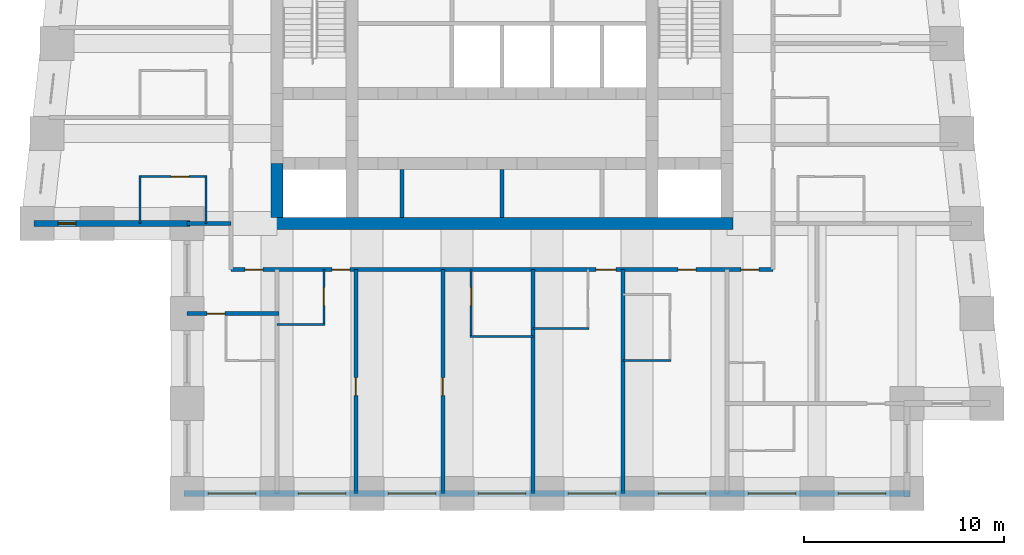
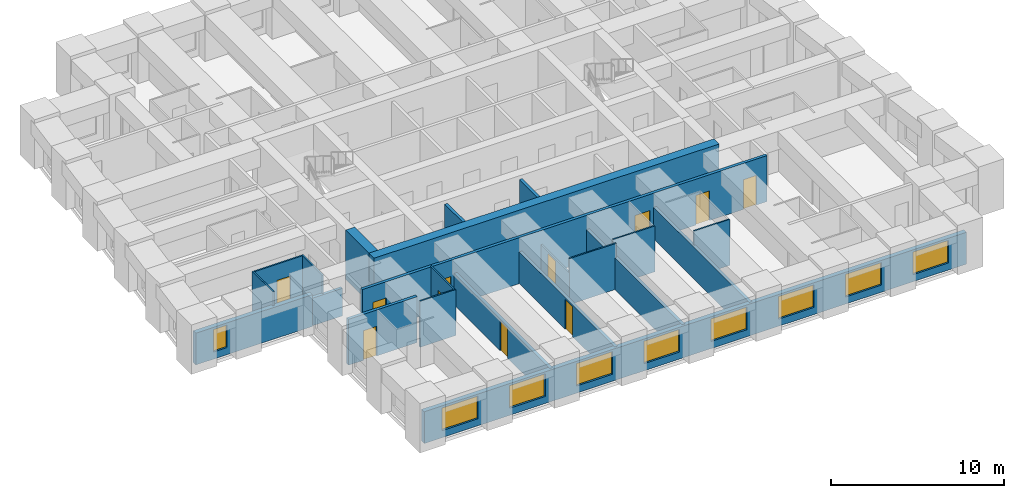
# One storey, part 2 of 8: 22 walls, 11 doors, 9 windows, 20 openings.
"""IFC4 building model written with IfcOpenShell, lengths in metres."""

from ifc_helpers import new_model, si_unit, direction, frame, frame_2d, origin, place, context, subcontext, project, spatial, rectangle, extrude, material, layer, layer_set, type_object, element, fill, save


model = new_model("IFC4")

# Units and contexts
model_context = context("Model", 3, precision=1e-05, world=origin(), true_north=direction((0.0, 1.0)))
body_context = subcontext(model_context, "Body", "Model", "MODEL_VIEW")
ifc_project = project(units=[si_unit("LENGTHUNIT", "METRE"), si_unit("AREAUNIT", "SQUARE_METRE"), si_unit("VOLUMEUNIT", "CUBIC_METRE"), si_unit("PLANEANGLEUNIT", "RADIAN"), si_unit("MASSUNIT", "GRAM", prefix="KILO")], contexts=[model_context])

# Site, building, storey
site_placement = place(None, origin())
site = spatial("IfcSite", under=ifc_project, at=site_placement, CompositionType="ELEMENT")
building_placement = place(site_placement, origin())
building = spatial("IfcBuilding", under=site, at=building_placement, Name="Kilele Tower Hotel", CompositionType="ELEMENT")
storey_placement = place(building_placement, frame((0.0, 0.0, 197.39990234375)))
storey = spatial("IfcBuildingStorey", under=building, at=storey_placement, Name="L51", CompositionType="ELEMENT", Elevation=197.39990234375)

# Wall
ifc_material_1 = material(Name="Moisture-resistant board")
ifc_layer_1 = layer(ifc_material_1, 0.10009765625)
ifc_layer_set_1 = layer_set([ifc_layer_1], Name="Moisture-resistant board")
wall_type_1 = type_object("IfcWallType", Name="Bathroom partition 100", PredefinedType="PLUMBINGWALL", material=ifc_layer_set_1)
wall_1_placement = place(storey_placement, frame((13.5, 8.449951171875, 0.0), z_axis=(0.0, 0.0, 1.0), x_axis=(1.0, 0.0, 0.0)))
element("IfcWall", 1, at=wall_1_placement, inside=storey, type_object=wall_type_1, Name="Bathroom partition 100 L51", PredefinedType="PLUMBINGWALL", context=body_context, shape_type="SweptSolid", body=[
    extrude(rectangle(XDim=2.39990234375, YDim=0.10009765625, at=frame_2d((1.199951171875, 0.0))), origin(), (0.0, 0.0, 1.0), 3.25),
])

# Wall, opening, door
wall_2_placement = place(storey_placement, frame((15.85009765625, 11.199951171875, 0.0), z_axis=(0.0, 0.0, 1.0), x_axis=(0.0, -1.0, 0.0)))
wall_2 = element("IfcWall", 2, at=wall_2_placement, inside=storey, type_object=wall_type_1, Name="Bathroom partition 100 L51", PredefinedType="PLUMBINGWALL", context=body_context, shape_type="SweptSolid", body=[
    extrude(rectangle(XDim=2.800048828125, YDim=0.10009765625, at=frame_2d((1.39990234375, 0.0))), origin(), (0.0, 0.0, 1.0), 3.25),
])
opening_1_placement = place(wall_2_placement, frame((0.89990234375, 0.0, 0.0)))
opening_1 = element("IfcOpeningElement", 3, at=opening_1_placement, cuts=wall_2, Name="Opening D2A", PredefinedType="OPENING", context=body_context, shape_type="SweptSolid", body=[
    extrude(rectangle(XDim=0.89990234375, YDim=2.10009765625, at=frame_2d((0.449951171875, 1.050048828125))), frame((0.0, 0.06005859375, 0.0), z_axis=(0.0, -1.0, 0.0), x_axis=(1.0, 0.0, 0.0)), (0.0, 0.0, 1.0), 0.1201171875),
])
ifc_material_2 = material(Name="Timber door leaf in hardwood frame", Category="wood")
door_type_1 = type_object("IfcDoorType", Name="Bathroom door 900", OperationType="SINGLE_SWING_LEFT", PredefinedType="DOOR", material=ifc_material_2)
door_1_placement = place(opening_1_placement, origin())
door_1 = element("IfcDoor", 4, at=door_1_placement, inside=storey, type_object=door_type_1, Name="Bathroom door 5101B", OperationType="SINGLE_SWING_LEFT", OverallHeight=2.10009765625, OverallWidth=0.89990234375, PredefinedType="DOOR", context=body_context, shape_type="SweptSolid", body=[
    extrude(rectangle(XDim=0.89990234375, YDim=2.10009765625, at=frame_2d((0.449951171875, 1.050048828125))), frame((0.0, 0.02490234375, 0.0), z_axis=(0.0, -1.0, 0.0), x_axis=(1.0, 0.0, 0.0)), (0.0, 0.0, 1.0), 0.050048828125),
])
fill(opening_1, door_1)

# Wall
wall_3_placement = place(storey_placement, frame((23.14990234375, 7.85009765625, 0.0), z_axis=(0.0, 0.0, 1.0), x_axis=(1.0, 0.0, 0.0)))
element("IfcWall", 5, at=wall_3_placement, inside=storey, type_object=wall_type_1, Name="Bathroom partition 100 L51", PredefinedType="PLUMBINGWALL", context=body_context, shape_type="SweptSolid", body=[
    extrude(rectangle(XDim=3.150146484375, YDim=0.10009765625, at=frame_2d((1.5751953125, 0.0))), origin(), (0.0, 0.0, 1.0), 3.25),
])

# Wall, opening, door
wall_4_placement = place(storey_placement, frame((23.199951171875, 11.199951171875, 0.0), z_axis=(0.0, 0.0, 1.0), x_axis=(0.0, -1.0, 0.0)))
wall_4 = element("IfcWall", 6, at=wall_4_placement, inside=storey, type_object=wall_type_1, Name="Bathroom partition 100 L51", PredefinedType="PLUMBINGWALL", context=body_context, shape_type="SweptSolid", body=[
    extrude(rectangle(XDim=3.39990234375, YDim=0.10009765625, at=frame_2d((1.699951171875, 0.0))), origin(), (0.0, 0.0, 1.0), 2.25),
])
opening_2_placement = place(wall_4_placement, frame((1.7998046875, 0.0, 0.0), z_axis=(0.0, 0.0, 1.0), x_axis=(-1.0, 0.0, 0.0)))
opening_2 = element("IfcOpeningElement", 7, at=opening_2_placement, cuts=wall_4, Name="Opening D2A", PredefinedType="OPENING", context=body_context, shape_type="SweptSolid", body=[
    extrude(rectangle(XDim=0.89990234375, YDim=2.10009765625, at=frame_2d((0.449951171875, 1.050048828125))), frame((0.0, 0.06005859375, 0.0), z_axis=(0.0, -1.0, 0.0), x_axis=(1.0, 0.0, 0.0)), (0.0, 0.0, 1.0), 0.1201171875),
])
door_2_placement = place(opening_2_placement, origin())
door_2 = element("IfcDoor", 8, at=door_2_placement, inside=storey, type_object=door_type_1, Name="Bathroom door 5103B", OperationType="SINGLE_SWING_RIGHT", OverallHeight=2.10009765625, OverallWidth=0.89990234375, PredefinedType="DOOR", context=body_context, shape_type="SweptSolid", body=[
    extrude(rectangle(XDim=0.89990234375, YDim=2.10009765625, at=frame_2d((0.449951171875, 1.050048828125))), frame((0.0, 0.02490234375, 0.0), z_axis=(0.0, -1.0, 0.0), x_axis=(1.0, 0.0, 0.0)), (0.0, 0.0, 1.0), 0.050048828125),
])
fill(opening_2, door_2)

# Walls
wall_5_placement = place(storey_placement, frame((26.300048828125, 8.25, 0.0), z_axis=(0.0, 0.0, 1.0), x_axis=(1.0, 0.0, 0.0)))
element("IfcWall", 9, at=wall_5_placement, inside=storey, type_object=wall_type_1, Name="Bathroom partition 100 L51", PredefinedType="PLUMBINGWALL", context=body_context, shape_type="SweptSolid", body=[
    extrude(rectangle(XDim=2.800048828125, YDim=0.10009765625, at=frame_2d((1.39990234375, 0.0))), origin(), (0.0, 0.0, 1.0), 3.25),
])
for number, where, z_axis, x_axis, name in (
    (10, (30.800048828125, 6.64990234375, 0.0), (0.0, 0.0, 1.0), (1.0, 0.0, 0.0), "Bathroom partition 100 L51"),
    (11, (9.949951171875, 13.5, 0.0), (0.0, 0.0, 1.0), (0.0, 1.0, 0.0), "Bathroom partition 100 L51"),
    (12, (6.64990234375, 13.5, 0.0), (0.0, 0.0, 1.0), (0.0, 1.0, 0.0), "Bathroom partition 100 L51"),
):
    element("IfcWall", number, at=place(storey_placement, frame(where, z_axis=z_axis, x_axis=x_axis)), inside=storey, type_object=wall_type_1, Name=name, PredefinedType="PLUMBINGWALL", context=body_context, shape_type="SweptSolid", body=[
        extrude(rectangle(XDim=2.39990234375, YDim=0.10009765625, at=frame_2d((1.199951171875, 0.0))), origin(), (0.0, 0.0, 1.0), 3.25),
    ])

# Wall, opening, door
wall_6_placement = place(storey_placement, frame((10.0, 15.85009765625, 0.0), z_axis=(0.0, 0.0, 1.0), x_axis=(-1.0, 0.0, 0.0)))
wall_6 = element("IfcWall", 13, at=wall_6_placement, inside=storey, type_object=wall_type_1, Name="Bathroom partition 100 L51", PredefinedType="PLUMBINGWALL", context=body_context, shape_type="SweptSolid", body=[
    extrude(rectangle(XDim=3.39990234375, YDim=0.10009765625, at=frame_2d((1.699951171875, 0.0))), origin(), (0.0, 0.0, 1.0), 3.25),
])
opening_3_placement = place(wall_6_placement, frame((1.7998046875, 0.0, 0.0), z_axis=(0.0, 0.0, 1.0), x_axis=(-1.0, 0.0, 0.0)))
opening_3 = element("IfcOpeningElement", 14, at=opening_3_placement, cuts=wall_6, Name="Opening D2A", PredefinedType="OPENING", context=body_context, shape_type="SweptSolid", body=[
    extrude(rectangle(XDim=0.89990234375, YDim=2.10009765625, at=frame_2d((0.449951171875, 1.050048828125))), frame((0.0, 0.06005859375, 0.0), z_axis=(0.0, -1.0, 0.0), x_axis=(1.0, 0.0, 0.0)), (0.0, 0.0, 1.0), 0.1201171875),
])
door_3_placement = place(opening_3_placement, origin())
door_3 = element("IfcDoor", 15, at=door_3_placement, inside=storey, type_object=door_type_1, Name="Bathroom door 5114B", OperationType="SINGLE_SWING_RIGHT", OverallHeight=2.10009765625, OverallWidth=0.89990234375, PredefinedType="DOOR", context=body_context, shape_type="SweptSolid", body=[
    extrude(rectangle(XDim=0.89990234375, YDim=2.10009765625, at=frame_2d((0.449951171875, 1.050048828125))), frame((0.0, 0.02490234375, 0.0), z_axis=(0.0, -1.0, 0.0), x_axis=(1.0, 0.0, 0.0)), (0.0, 0.0, 1.0), 0.050048828125),
])
fill(opening_3, door_3)

# Walls
ifc_material_3 = material(Name="Concrete C70/85", Category="concrete")
ifc_layer_2 = layer(ifc_material_3, 0.60009765625)
ifc_layer_set_2 = layer_set([ifc_layer_2], Name="Concrete C70/85")
wall_type_2 = type_object("IfcWallType", Name="Core wall 600 C70/85", PredefinedType="SHEAR", material=ifc_layer_set_2)
wall_7_placement = place(storey_placement, frame((13.199951171875, 13.5, 0.0), z_axis=(0.0, 0.0, 1.0), x_axis=(1.0, 0.0, 0.0)))
element("IfcWall", 16, at=wall_7_placement, inside=storey, type_object=wall_type_2, Name="Core wall S L51", PredefinedType="SHEAR", context=body_context, shape_type="SweptSolid", body=[
    extrude(rectangle(XDim=23.10009765625, YDim=0.60009765625, at=frame_2d((11.550048828125, 0.0))), origin(), (0.0, 0.0, 1.0), 3.5),
])
wall_8_placement = place(storey_placement, frame((13.5, 16.5, 0.0), z_axis=(0.0, 0.0, 1.0), x_axis=(0.0, -1.0, 0.0)))
element("IfcWall", 17, at=wall_8_placement, inside=storey, type_object=wall_type_2, Name="Core wall W3 L51", PredefinedType="SHEAR", context=body_context, shape_type="SweptSolid", body=[
    extrude(rectangle(XDim=2.699951171875, YDim=0.60009765625, at=frame_2d((1.35009765625, 0.0))), origin(), (0.0, 0.0, 1.0), 3.5),
])

# Wall, openings, doors
ifc_material_4 = material(Name="Blockwork, plastered both sides", Category="masonry")
ifc_layer_3 = layer(ifc_material_4, 0.199951171875)
ifc_layer_set_3 = layer_set([ifc_layer_3], Name="Blockwork, plastered both sides")
wall_type_3 = type_object("IfcWallType", Name="Corridor wall 200", PredefinedType="PARTITIONING", material=ifc_layer_set_3)
wall_9_placement = place(storey_placement, frame((11.199951171875, 11.199951171875, 0.0), z_axis=(0.0, 0.0, 1.0), x_axis=(1.0, 0.0, 0.0)))
wall_9 = element("IfcWall", 18, at=wall_9_placement, inside=storey, type_object=wall_type_3, Name="Corridor wall 200 L51", PredefinedType="PARTITIONING", context=body_context, shape_type="SweptSolid", body=[
    extrude(rectangle(XDim=27.10009765625, YDim=0.199951171875, at=frame_2d((13.550048828125, 0.0))), origin(), (0.0, 0.0, 1.0), 3.25),
])
opening_4_placement = place(wall_9_placement, frame((5.949951171875, 0.0, 0.0), z_axis=(0.0, 0.0, 1.0), x_axis=(-1.0, 0.0, 0.0)))
opening_4 = element("IfcOpeningElement", 19, at=opening_4_placement, cuts=wall_9, Name="Opening D1", PredefinedType="OPENING", context=body_context, shape_type="SweptSolid", body=[
    extrude(rectangle(XDim=0.89990234375, YDim=2.10009765625, at=frame_2d((0.449951171875, 1.050048828125))), frame((0.0, 0.10986328125, 0.0), z_axis=(0.0, -1.0, 0.0), x_axis=(1.0, 0.0, 0.0)), (0.0, 0.0, 1.0), 0.219970703125),
])
opening_5_placement = place(wall_9_placement, frame((19.25, 0.0, 0.0), z_axis=(0.0, 0.0, 1.0), x_axis=(-1.0, 0.0, 0.0)))
opening_5 = element("IfcOpeningElement", 20, at=opening_5_placement, cuts=wall_9, Name="Opening D1A", PredefinedType="OPENING", context=body_context, shape_type="SweptSolid", body=[
    extrude(rectangle(XDim=1.0, YDim=2.10009765625, at=frame_2d((0.5, 1.050048828125))), frame((0.0, 0.10986328125, 0.0), z_axis=(0.0, -1.0, 0.0), x_axis=(1.0, 0.0, 0.0)), (0.0, 0.0, 1.0), 0.219970703125),
])
opening_6_placement = place(wall_9_placement, frame((23.25, 0.0, 0.0), z_axis=(0.0, 0.0, 1.0), x_axis=(-1.0, 0.0, 0.0)))
opening_6 = element("IfcOpeningElement", 21, at=opening_6_placement, cuts=wall_9, Name="Opening D1", PredefinedType="OPENING", context=body_context, shape_type="SweptSolid", body=[
    extrude(rectangle(XDim=0.89990234375, YDim=2.10009765625, at=frame_2d((0.449951171875, 1.050048828125))), frame((0.0, 0.10986328125, 0.0), z_axis=(0.0, -1.0, 0.0), x_axis=(1.0, 0.0, 0.0)), (0.0, 0.0, 1.0), 0.219970703125),
])
opening_7_placement = place(wall_9_placement, frame((1.599853515625, 0.0, 0.0), z_axis=(0.0, 0.0, 1.0), x_axis=(-1.0, 0.0, 0.0)))
opening_7 = element("IfcOpeningElement", 22, at=opening_7_placement, cuts=wall_9, Name="Opening D1", PredefinedType="OPENING", context=body_context, shape_type="SweptSolid", body=[
    extrude(rectangle(XDim=0.89990234375, YDim=2.10009765625, at=frame_2d((0.449951171875, 1.050048828125))), frame((0.0, 0.10986328125, 0.0), z_axis=(0.0, -1.0, 0.0), x_axis=(1.0, 0.0, 0.0)), (0.0, 0.0, 1.0), 0.219970703125),
])
opening_8_placement = place(wall_9_placement, frame((26.39990234375, 0.0, 0.0), z_axis=(0.0, 0.0, 1.0), x_axis=(-1.0, 0.0, 0.0)))
opening_8 = element("IfcOpeningElement", 23, at=opening_8_placement, cuts=wall_9, Name="Opening D1", PredefinedType="OPENING", context=body_context, shape_type="SweptSolid", body=[
    extrude(rectangle(XDim=0.89990234375, YDim=2.10009765625, at=frame_2d((0.449951171875, 1.050048828125))), frame((0.0, 0.10986328125, 0.0), z_axis=(0.0, -1.0, 0.0), x_axis=(1.0, 0.0, 0.0)), (0.0, 0.0, 1.0), 0.219970703125),
])
ifc_material_5 = material(Name="Timber door leaf in hardwood frame", Category="wood")
door_type_2 = type_object("IfcDoorType", Name="Guest room entrance door 1000", OperationType="SINGLE_SWING_LEFT", PredefinedType="DOOR", material=ifc_material_5)
door_4_placement = place(opening_5_placement, origin())
door_4 = element("IfcDoor", 24, at=door_4_placement, inside=storey, type_object=door_type_2, Name="Room entrance 5104", OperationType="SINGLE_SWING_LEFT", OverallHeight=2.10009765625, OverallWidth=1.0, PredefinedType="DOOR", context=body_context, shape_type="SweptSolid", body=[
    extrude(rectangle(XDim=1.0, YDim=2.10009765625, at=frame_2d((0.5, 1.050048828125))), frame((0.0, 0.02490234375, 0.0), z_axis=(0.0, -1.0, 0.0), x_axis=(1.0, 0.0, 0.0)), (0.0, 0.0, 1.0), 0.050048828125),
])
fill(opening_5, door_4)
ifc_material_6 = material(Name="Timber door leaf in hardwood frame", Category="wood")
door_type_3 = type_object("IfcDoorType", Name="Guest room entrance door 900", OperationType="SINGLE_SWING_LEFT", PredefinedType="DOOR", material=ifc_material_6)
door_5_placement = place(opening_4_placement, origin())
door_5 = element("IfcDoor", 25, at=door_5_placement, inside=storey, type_object=door_type_3, Name="Room entrance 5101", OperationType="SINGLE_SWING_LEFT", OverallHeight=2.10009765625, OverallWidth=0.89990234375, PredefinedType="DOOR", context=body_context, shape_type="SweptSolid", body=[
    extrude(rectangle(XDim=0.89990234375, YDim=2.10009765625, at=frame_2d((0.449951171875, 1.050048828125))), frame((0.0, 0.02490234375, 0.0), z_axis=(0.0, -1.0, 0.0), x_axis=(1.0, 0.0, 0.0)), (0.0, 0.0, 1.0), 0.050048828125),
])
fill(opening_4, door_5)
door_6_placement = place(opening_6_placement, origin())
door_6 = element("IfcDoor", 26, at=door_6_placement, inside=storey, type_object=door_type_3, Name="Room entrance 5105", OperationType="SINGLE_SWING_LEFT", OverallHeight=2.10009765625, OverallWidth=0.89990234375, PredefinedType="DOOR", context=body_context, shape_type="SweptSolid", body=[
    extrude(rectangle(XDim=0.89990234375, YDim=2.10009765625, at=frame_2d((0.449951171875, 1.050048828125))), frame((0.0, 0.02490234375, 0.0), z_axis=(0.0, -1.0, 0.0), x_axis=(1.0, 0.0, 0.0)), (0.0, 0.0, 1.0), 0.050048828125),
])
fill(opening_6, door_6)
door_7_placement = place(opening_7_placement, origin())
door_7 = element("IfcDoor", 27, at=door_7_placement, inside=storey, type_object=door_type_3, Name="Room entrance 5117", OperationType="SINGLE_SWING_LEFT", OverallHeight=2.10009765625, OverallWidth=0.89990234375, PredefinedType="DOOR", context=body_context, shape_type="SweptSolid", body=[
    extrude(rectangle(XDim=0.89990234375, YDim=2.10009765625, at=frame_2d((0.449951171875, 1.050048828125))), frame((0.0, 0.02490234375, 0.0), z_axis=(0.0, -1.0, 0.0), x_axis=(1.0, 0.0, 0.0)), (0.0, 0.0, 1.0), 0.050048828125),
])
fill(opening_7, door_7)
door_8_placement = place(opening_8_placement, origin())
door_8 = element("IfcDoor", 28, at=door_8_placement, inside=storey, type_object=door_type_3, Name="Room entrance 5119", OperationType="SINGLE_SWING_RIGHT", OverallHeight=2.10009765625, OverallWidth=0.89990234375, PredefinedType="DOOR", context=body_context, shape_type="SweptSolid", body=[
    extrude(rectangle(XDim=0.89990234375, YDim=2.10009765625, at=frame_2d((0.449951171875, 1.050048828125))), frame((0.0, 0.02490234375, 0.0), z_axis=(0.0, -1.0, 0.0), x_axis=(1.0, 0.0, 0.0)), (0.0, 0.0, 1.0), 0.050048828125),
])
fill(opening_8, door_8)

# Wall, opening, door
ifc_material_7 = material(Name="Blockwork, plastered both sides", Category="masonry")
ifc_layer_4 = layer(ifc_material_7, 0.199951171875)
ifc_layer_set_4 = layer_set([ifc_layer_4], Name="Blockwork, plastered both sides")
wall_type_4 = type_object("IfcWallType", Name="Party wall 200", PredefinedType="PARTITIONING", material=ifc_layer_set_4)
wall_10_placement = place(storey_placement, frame((17.449951171875, 11.199951171875, 0.0), z_axis=(0.0, 0.0, 1.0), x_axis=(0.0, -1.0, 0.0)))
wall_10 = element("IfcWall", 29, at=wall_10_placement, inside=storey, type_object=wall_type_4, Name="Party wall 200 L51", PredefinedType="PARTITIONING", context=body_context, shape_type="SweptSolid", body=[
    extrude(rectangle(XDim=11.199951171875, YDim=0.199951171875, at=frame_2d((5.60009765625, 0.0))), origin(), (0.0, 0.0, 1.0), 2.25),
])
opening_9_placement = place(wall_10_placement, frame((5.39990234375, 0.0, 0.0)))
opening_9 = element("IfcOpeningElement", 30, at=opening_9_placement, cuts=wall_10, Name="Opening D3", PredefinedType="OPENING", context=body_context, shape_type="SweptSolid", body=[
    extrude(rectangle(XDim=0.89990234375, YDim=2.10009765625, at=frame_2d((0.449951171875, 1.050048828125))), frame((0.0, 0.10986328125, 0.0), z_axis=(0.0, -1.0, 0.0), x_axis=(1.0, 0.0, 0.0)), (0.0, 0.0, 1.0), 0.219970703125),
])
ifc_material_8 = material(Name="Timber door leaf in hardwood frame", Category="wood")
door_type_4 = type_object("IfcDoorType", Name="Suite internal door 900", OperationType="SINGLE_SWING_LEFT", PredefinedType="DOOR", material=ifc_material_8)
door_9_placement = place(opening_9_placement, origin())
door_9 = element("IfcDoor", 31, at=door_9_placement, inside=storey, type_object=door_type_4, Name="Suite door 5102", OperationType="SINGLE_SWING_RIGHT", OverallHeight=2.10009765625, OverallWidth=0.89990234375, PredefinedType="DOOR", context=body_context, shape_type="SweptSolid", body=[
    extrude(rectangle(XDim=0.89990234375, YDim=2.10009765625, at=frame_2d((0.449951171875, 1.050048828125))), frame((0.0, 0.02490234375, 0.0), z_axis=(0.0, -1.0, 0.0), x_axis=(1.0, 0.0, 0.0)), (0.0, 0.0, 1.0), 0.050048828125),
])
fill(opening_9, door_9)

wall_11_placement = place(storey_placement, frame((21.800048828125, 11.199951171875, 0.0), z_axis=(0.0, 0.0, 1.0), x_axis=(0.0, -1.0, 0.0)))
wall_11 = element("IfcWall", 32, at=wall_11_placement, inside=storey, type_object=wall_type_4, Name="Party wall 200 L51", PredefinedType="PARTITIONING", context=body_context, shape_type="SweptSolid", body=[
    extrude(rectangle(XDim=11.199951171875, YDim=0.199951171875, at=frame_2d((5.60009765625, 0.0))), origin(), (0.0, 0.0, 1.0), 2.25),
])
opening_10_placement = place(wall_11_placement, frame((5.39990234375, 0.0, 0.0)))
opening_10 = element("IfcOpeningElement", 33, at=opening_10_placement, cuts=wall_11, Name="Opening D3", PredefinedType="OPENING", context=body_context, shape_type="SweptSolid", body=[
    extrude(rectangle(XDim=0.89990234375, YDim=2.10009765625, at=frame_2d((0.449951171875, 1.050048828125))), frame((0.0, 0.10986328125, 0.0), z_axis=(0.0, -1.0, 0.0), x_axis=(1.0, 0.0, 0.0)), (0.0, 0.0, 1.0), 0.219970703125),
])
door_10_placement = place(opening_10_placement, origin())
door_10 = element("IfcDoor", 34, at=door_10_placement, inside=storey, type_object=door_type_4, Name="Suite door 5103", OperationType="SINGLE_SWING_RIGHT", OverallHeight=2.10009765625, OverallWidth=0.89990234375, PredefinedType="DOOR", context=body_context, shape_type="SweptSolid", body=[
    extrude(rectangle(XDim=0.89990234375, YDim=2.10009765625, at=frame_2d((0.449951171875, 1.050048828125))), frame((0.0, 0.02490234375, 0.0), z_axis=(0.0, -1.0, 0.0), x_axis=(1.0, 0.0, 0.0)), (0.0, 0.0, 1.0), 0.050048828125),
])
fill(opening_10, door_10)

# Walls
for number, where, z_axis, x_axis, name in (
    (35, (26.300048828125, 11.199951171875, 0.0), (0.0, 0.0, 1.0), (0.0, -1.0, 0.0), "Party wall 200 L51"),
    (36, (30.800048828125, 11.199951171875, 0.0), (0.0, 0.0, 1.0), (0.0, -1.0, 0.0), "Party wall 200 L51"),
):
    element("IfcWall", number, at=place(storey_placement, frame(where, z_axis=z_axis, x_axis=x_axis)), inside=storey, type_object=wall_type_4, Name=name, PredefinedType="PARTITIONING", context=body_context, shape_type="SweptSolid", body=[
        extrude(rectangle(XDim=11.199951171875, YDim=0.199951171875, at=frame_2d((5.60009765625, 0.0))), origin(), (0.0, 0.0, 1.0), 2.25),
    ])
wall_12_placement = place(storey_placement, frame((11.199951171875, 13.5, 0.0), z_axis=(0.0, 0.0, 1.0), x_axis=(-1.0, 0.0, 0.0)))
element("IfcWall", 37, at=wall_12_placement, inside=storey, type_object=wall_type_4, Name="Party wall 200 L51", PredefinedType="PARTITIONING", context=body_context, shape_type="SweptSolid", body=[
    extrude(rectangle(XDim=2.199951171875, YDim=0.199951171875, at=frame_2d((1.10009765625, 0.0))), origin(), (0.0, 0.0, 1.0), 1.9501953125),
])

# Wall, opening, door
wall_13_placement = place(storey_placement, frame((13.60009765625, 9.0, 0.0), z_axis=(0.0, 0.0, 1.0), x_axis=(-1.0, 0.0, 0.0)))
wall_13 = element("IfcWall", 38, at=wall_13_placement, inside=storey, type_object=wall_type_4, Name="Party wall 200 L51", PredefinedType="PARTITIONING", context=body_context, shape_type="SweptSolid", body=[
    extrude(rectangle(XDim=4.60009765625, YDim=0.199951171875, at=frame_2d((2.300048828125, 0.0))), origin(), (0.0, 0.0, 1.0), 3.25),
])
opening_11_placement = place(wall_13_placement, frame((2.699951171875, 0.0, 0.0)))
opening_11 = element("IfcOpeningElement", 39, at=opening_11_placement, cuts=wall_13, Name="Opening D3", PredefinedType="OPENING", context=body_context, shape_type="SweptSolid", body=[
    extrude(rectangle(XDim=0.89990234375, YDim=2.10009765625, at=frame_2d((0.449951171875, 1.050048828125))), frame((0.0, 0.10986328125, 0.0), z_axis=(0.0, -1.0, 0.0), x_axis=(1.0, 0.0, 0.0)), (0.0, 0.0, 1.0), 0.219970703125),
])
door_11_placement = place(opening_11_placement, origin())
door_11 = element("IfcDoor", 40, at=door_11_placement, inside=storey, type_object=door_type_4, Name="Suite door 5118", OperationType="SINGLE_SWING_LEFT", OverallHeight=2.10009765625, OverallWidth=0.89990234375, PredefinedType="DOOR", context=body_context, shape_type="SweptSolid", body=[
    extrude(rectangle(XDim=0.89990234375, YDim=2.10009765625, at=frame_2d((0.449951171875, 1.050048828125))), frame((0.0, 0.02490234375, 0.0), z_axis=(0.0, -1.0, 0.0), x_axis=(1.0, 0.0, 0.0)), (0.0, 0.0, 1.0), 0.050048828125),
])
fill(opening_11, door_11)

# Wall, opening, window
ifc_material_9 = material(Name="Concrete C40/50 precast", Category="concrete")
ifc_layer_5 = layer(ifc_material_9, 0.260009765625, Name="Precast backing", Category="LoadBearing")
ifc_material_10 = material(Name="Reconstituted stone finish", Category="masonry")
ifc_layer_6 = layer(ifc_material_10, 0.0400390625, Name="Face mix", Category="Finish")
ifc_layer_set_5 = layer_set([ifc_layer_5, ifc_layer_6], Name="Precast concrete C40/50, reconstituted stone finish")
wall_type_5 = type_object("IfcWallType", Name="Precast stone facade wall 300", PredefinedType="STANDARD", material=ifc_layer_set_5)
wall_14_placement = place(storey_placement, frame((1.35009765625, 13.5, 0.0), z_axis=(0.0, 0.0, 1.0), x_axis=(1.0, 0.0, 0.0)))
wall_14 = element("IfcWall", 41, at=wall_14_placement, inside=storey, type_object=wall_type_5, Name="Facade wall L51 edge 1", PredefinedType="STANDARD", context=body_context, shape_type="SweptSolid", body=[
    extrude(rectangle(XDim=7.7998046875, YDim=0.300048828125, at=frame_2d((3.89990234375, 0.0))), origin(), (0.0, 0.0, 1.0), 2.25),
])
opening_12_placement = place(wall_14_placement, frame((1.199951171875, 0.0, 0.5)))
opening_12 = element("IfcOpeningElement", 42, at=opening_12_placement, cuts=wall_14, Name="Opening W3", PredefinedType="OPENING", context=body_context, shape_type="SweptSolid", body=[
    extrude(rectangle(XDim=0.89990234375, YDim=1.60009765625, at=frame_2d((0.449951171875, 0.800048828125))), frame((0.0, 0.159912109375, 0.0), z_axis=(0.0, -1.0, 0.0), x_axis=(1.0, 0.0, 0.0)), (0.0, 0.0, 1.0), 0.320068359375),
])
ifc_material_11 = material(Name="Aluminium frame, clear double glazing", Category="aluminium")
window_type_1 = type_object("IfcWindowType", Name="Window W3 900 x 1600", PartitioningType="SINGLE_PANEL", PredefinedType="WINDOW", material=ifc_material_11)
window_1_placement = place(opening_12_placement, origin())
window_1 = element("IfcWindow", 43, at=window_1_placement, inside=storey, type_object=window_type_1, Name="Window L51", OverallHeight=1.60009765625, OverallWidth=0.89990234375, PartitioningType="SINGLE_PANEL", PredefinedType="WINDOW", context=body_context, shape_type="SweptSolid", body=[
    extrude(rectangle(XDim=0.89990234375, YDim=1.60009765625, at=frame_2d((0.449951171875, 0.800048828125))), frame((0.0, 0.030029296875, 0.0), z_axis=(0.0, -1.0, 0.0), x_axis=(1.0, 0.0, 0.0)), (0.0, 0.0, 1.0), 0.06005859375),
])
fill(opening_12, window_1)

# Wall, openings, windows
wall_15_placement = place(storey_placement, frame((8.85009765625, 0.0, 0.0), z_axis=(0.0, 0.0, 1.0), x_axis=(1.0, 0.0, 0.0)))
wall_15 = element("IfcWall", 44, at=wall_15_placement, inside=storey, type_object=wall_type_5, Name="Facade wall L51 edge 3", PredefinedType="STANDARD", context=body_context, shape_type="SweptSolid", body=[
    extrude(rectangle(XDim=36.2998046875, YDim=0.300048828125, at=frame_2d((18.14990234375, 0.0))), origin(), (0.0, 0.0, 1.0), 2.25),
])
opening_13_placement = place(wall_15_placement, frame((1.199951171875, 0.0, 0.5)))
opening_13 = element("IfcOpeningElement", 45, at=opening_13_placement, cuts=wall_15, Name="Opening W3", PredefinedType="OPENING", context=body_context, shape_type="SweptSolid", body=[
    extrude(rectangle(XDim=2.39990234375, YDim=1.60009765625, at=frame_2d((1.199951171875, 0.800048828125))), frame((0.0, 0.159912109375, 0.0), z_axis=(0.0, -1.0, 0.0), x_axis=(1.0, 0.0, 0.0)), (0.0, 0.0, 1.0), 0.320068359375),
])
opening_14_placement = place(wall_15_placement, frame((5.699951171875, 0.0, 0.5)))
opening_14 = element("IfcOpeningElement", 46, at=opening_14_placement, cuts=wall_15, Name="Opening W3", PredefinedType="OPENING", context=body_context, shape_type="SweptSolid", body=[
    extrude(rectangle(XDim=2.39990234375, YDim=1.60009765625, at=frame_2d((1.199951171875, 0.800048828125))), frame((0.0, 0.159912109375, 0.0), z_axis=(0.0, -1.0, 0.0), x_axis=(1.0, 0.0, 0.0)), (0.0, 0.0, 1.0), 0.320068359375),
])
opening_15_placement = place(wall_15_placement, frame((10.199951171875, 0.0, 0.5)))
opening_15 = element("IfcOpeningElement", 47, at=opening_15_placement, cuts=wall_15, Name="Opening W3", PredefinedType="OPENING", context=body_context, shape_type="SweptSolid", body=[
    extrude(rectangle(XDim=2.39990234375, YDim=1.60009765625, at=frame_2d((1.199951171875, 0.800048828125))), frame((0.0, 0.159912109375, 0.0), z_axis=(0.0, -1.0, 0.0), x_axis=(1.0, 0.0, 0.0)), (0.0, 0.0, 1.0), 0.320068359375),
])
opening_16_placement = place(wall_15_placement, frame((14.699951171875, 0.0, 0.5)))
opening_16 = element("IfcOpeningElement", 48, at=opening_16_placement, cuts=wall_15, Name="Opening W3", PredefinedType="OPENING", context=body_context, shape_type="SweptSolid", body=[
    extrude(rectangle(XDim=2.39990234375, YDim=1.60009765625, at=frame_2d((1.199951171875, 0.800048828125))), frame((0.0, 0.159912109375, 0.0), z_axis=(0.0, -1.0, 0.0), x_axis=(1.0, 0.0, 0.0)), (0.0, 0.0, 1.0), 0.320068359375),
])
opening_17_placement = place(wall_15_placement, frame((19.199951171875, 0.0, 0.5)))
opening_17 = element("IfcOpeningElement", 49, at=opening_17_placement, cuts=wall_15, Name="Opening W3", PredefinedType="OPENING", context=body_context, shape_type="SweptSolid", body=[
    extrude(rectangle(XDim=2.39990234375, YDim=1.60009765625, at=frame_2d((1.199951171875, 0.800048828125))), frame((0.0, 0.159912109375, 0.0), z_axis=(0.0, -1.0, 0.0), x_axis=(1.0, 0.0, 0.0)), (0.0, 0.0, 1.0), 0.320068359375),
])
opening_18_placement = place(wall_15_placement, frame((23.699951171875, 0.0, 0.5)))
opening_18 = element("IfcOpeningElement", 50, at=opening_18_placement, cuts=wall_15, Name="Opening W3", PredefinedType="OPENING", context=body_context, shape_type="SweptSolid", body=[
    extrude(rectangle(XDim=2.39990234375, YDim=1.60009765625, at=frame_2d((1.199951171875, 0.800048828125))), frame((0.0, 0.159912109375, 0.0), z_axis=(0.0, -1.0, 0.0), x_axis=(1.0, 0.0, 0.0)), (0.0, 0.0, 1.0), 0.320068359375),
])
opening_19_placement = place(wall_15_placement, frame((28.199951171875, 0.0, 0.5)))
opening_19 = element("IfcOpeningElement", 51, at=opening_19_placement, cuts=wall_15, Name="Opening W3", PredefinedType="OPENING", context=body_context, shape_type="SweptSolid", body=[
    extrude(rectangle(XDim=2.39990234375, YDim=1.60009765625, at=frame_2d((1.199951171875, 0.800048828125))), frame((0.0, 0.159912109375, 0.0), z_axis=(0.0, -1.0, 0.0), x_axis=(1.0, 0.0, 0.0)), (0.0, 0.0, 1.0), 0.320068359375),
])
opening_20_placement = place(wall_15_placement, frame((32.699951171875, 0.0, 0.5)))
opening_20 = element("IfcOpeningElement", 52, at=opening_20_placement, cuts=wall_15, Name="Opening W3", PredefinedType="OPENING", context=body_context, shape_type="SweptSolid", body=[
    extrude(rectangle(XDim=2.39990234375, YDim=1.60009765625, at=frame_2d((1.199951171875, 0.800048828125))), frame((0.0, 0.159912109375, 0.0), z_axis=(0.0, -1.0, 0.0), x_axis=(1.0, 0.0, 0.0)), (0.0, 0.0, 1.0), 0.320068359375),
])
ifc_material_12 = material(Name="Aluminium frame, clear double glazing", Category="aluminium")
window_type_2 = type_object("IfcWindowType", Name="Window W3 2400 x 1600", PartitioningType="SINGLE_PANEL", PredefinedType="WINDOW", material=ifc_material_12)
window_2_placement = place(opening_13_placement, origin())
window_2 = element("IfcWindow", 53, at=window_2_placement, inside=storey, type_object=window_type_2, Name="Window L51", OverallHeight=1.60009765625, OverallWidth=2.39990234375, PartitioningType="SINGLE_PANEL", PredefinedType="WINDOW", context=body_context, shape_type="SweptSolid", body=[
    extrude(rectangle(XDim=2.39990234375, YDim=1.60009765625, at=frame_2d((1.199951171875, 0.800048828125))), frame((0.0, 0.030029296875, 0.0), z_axis=(0.0, -1.0, 0.0), x_axis=(1.0, 0.0, 0.0)), (0.0, 0.0, 1.0), 0.06005859375),
])
fill(opening_13, window_2)
window_3_placement = place(opening_14_placement, origin())
window_3 = element("IfcWindow", 54, at=window_3_placement, inside=storey, type_object=window_type_2, Name="Window L51", OverallHeight=1.60009765625, OverallWidth=2.39990234375, PartitioningType="SINGLE_PANEL", PredefinedType="WINDOW", context=body_context, shape_type="SweptSolid", body=[
    extrude(rectangle(XDim=2.39990234375, YDim=1.60009765625, at=frame_2d((1.199951171875, 0.800048828125))), frame((0.0, 0.030029296875, 0.0), z_axis=(0.0, -1.0, 0.0), x_axis=(1.0, 0.0, 0.0)), (0.0, 0.0, 1.0), 0.06005859375),
])
fill(opening_14, window_3)
window_4_placement = place(opening_15_placement, origin())
window_4 = element("IfcWindow", 55, at=window_4_placement, inside=storey, type_object=window_type_2, Name="Window L51", OverallHeight=1.60009765625, OverallWidth=2.39990234375, PartitioningType="SINGLE_PANEL", PredefinedType="WINDOW", context=body_context, shape_type="SweptSolid", body=[
    extrude(rectangle(XDim=2.39990234375, YDim=1.60009765625, at=frame_2d((1.199951171875, 0.800048828125))), frame((0.0, 0.030029296875, 0.0), z_axis=(0.0, -1.0, 0.0), x_axis=(1.0, 0.0, 0.0)), (0.0, 0.0, 1.0), 0.06005859375),
])
fill(opening_15, window_4)
window_5_placement = place(opening_16_placement, origin())
window_5 = element("IfcWindow", 56, at=window_5_placement, inside=storey, type_object=window_type_2, Name="Window L51", OverallHeight=1.60009765625, OverallWidth=2.39990234375, PartitioningType="SINGLE_PANEL", PredefinedType="WINDOW", context=body_context, shape_type="SweptSolid", body=[
    extrude(rectangle(XDim=2.39990234375, YDim=1.60009765625, at=frame_2d((1.199951171875, 0.800048828125))), frame((0.0, 0.030029296875, 0.0), z_axis=(0.0, -1.0, 0.0), x_axis=(1.0, 0.0, 0.0)), (0.0, 0.0, 1.0), 0.06005859375),
])
fill(opening_16, window_5)
window_6_placement = place(opening_17_placement, origin())
window_6 = element("IfcWindow", 57, at=window_6_placement, inside=storey, type_object=window_type_2, Name="Window L51", OverallHeight=1.60009765625, OverallWidth=2.39990234375, PartitioningType="SINGLE_PANEL", PredefinedType="WINDOW", context=body_context, shape_type="SweptSolid", body=[
    extrude(rectangle(XDim=2.39990234375, YDim=1.60009765625, at=frame_2d((1.199951171875, 0.800048828125))), frame((0.0, 0.030029296875, 0.0), z_axis=(0.0, -1.0, 0.0), x_axis=(1.0, 0.0, 0.0)), (0.0, 0.0, 1.0), 0.06005859375),
])
fill(opening_17, window_6)
window_7_placement = place(opening_18_placement, origin())
window_7 = element("IfcWindow", 58, at=window_7_placement, inside=storey, type_object=window_type_2, Name="Window L51", OverallHeight=1.60009765625, OverallWidth=2.39990234375, PartitioningType="SINGLE_PANEL", PredefinedType="WINDOW", context=body_context, shape_type="SweptSolid", body=[
    extrude(rectangle(XDim=2.39990234375, YDim=1.60009765625, at=frame_2d((1.199951171875, 0.800048828125))), frame((0.0, 0.030029296875, 0.0), z_axis=(0.0, -1.0, 0.0), x_axis=(1.0, 0.0, 0.0)), (0.0, 0.0, 1.0), 0.06005859375),
])
fill(opening_18, window_7)
window_8_placement = place(opening_19_placement, origin())
window_8 = element("IfcWindow", 59, at=window_8_placement, inside=storey, type_object=window_type_2, Name="Window L51", OverallHeight=1.60009765625, OverallWidth=2.39990234375, PartitioningType="SINGLE_PANEL", PredefinedType="WINDOW", context=body_context, shape_type="SweptSolid", body=[
    extrude(rectangle(XDim=2.39990234375, YDim=1.60009765625, at=frame_2d((1.199951171875, 0.800048828125))), frame((0.0, 0.030029296875, 0.0), z_axis=(0.0, -1.0, 0.0), x_axis=(1.0, 0.0, 0.0)), (0.0, 0.0, 1.0), 0.06005859375),
])
fill(opening_19, window_8)
window_9_placement = place(opening_20_placement, origin())
window_9 = element("IfcWindow", 60, at=window_9_placement, inside=storey, type_object=window_type_2, Name="Window L51", OverallHeight=1.60009765625, OverallWidth=2.39990234375, PartitioningType="SINGLE_PANEL", PredefinedType="WINDOW", context=body_context, shape_type="SweptSolid", body=[
    extrude(rectangle(XDim=2.39990234375, YDim=1.60009765625, at=frame_2d((1.199951171875, 0.800048828125))), frame((0.0, 0.030029296875, 0.0), z_axis=(0.0, -1.0, 0.0), x_axis=(1.0, 0.0, 0.0)), (0.0, 0.0, 1.0), 0.06005859375),
])
fill(opening_20, window_9)

# Walls
ifc_material_13 = material(Name="Blockwork, fire-rated", Category="masonry")
ifc_layer_7 = layer(ifc_material_13, 0.199951171875)
ifc_layer_set_6 = layer_set([ifc_layer_7], Name="Blockwork, fire-rated")
wall_type_6 = type_object("IfcWallType", Name="Shaft wall 200", PredefinedType="PARTITIONING", material=ifc_layer_set_6)
for number, where, z_axis, x_axis, name in (
    (61, (19.75, 13.800048828125, 0.0), (0.0, 0.0, 1.0), (0.0, 1.0, 0.0), "Shaft wall 200 L51"),
    (62, (24.75, 13.800048828125, 0.0), (0.0, 0.0, 1.0), (0.0, 1.0, 0.0), "Shaft wall 200 L51"),
):
    element("IfcWall", number, at=place(storey_placement, frame(where, z_axis=z_axis, x_axis=x_axis)), inside=storey, type_object=wall_type_6, Name=name, PredefinedType="PARTITIONING", context=body_context, shape_type="SweptSolid", body=[
        extrude(rectangle(XDim=2.39990234375, YDim=0.199951171875, at=frame_2d((1.199951171875, 0.0))), origin(), (0.0, 0.0, 1.0), 3.25),
    ])

save(model, "model.ifc")
